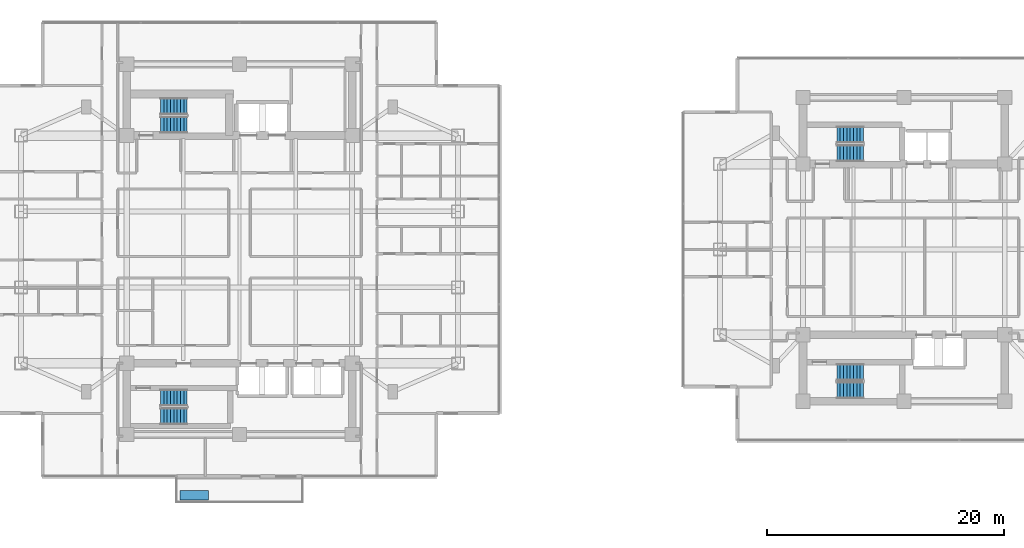
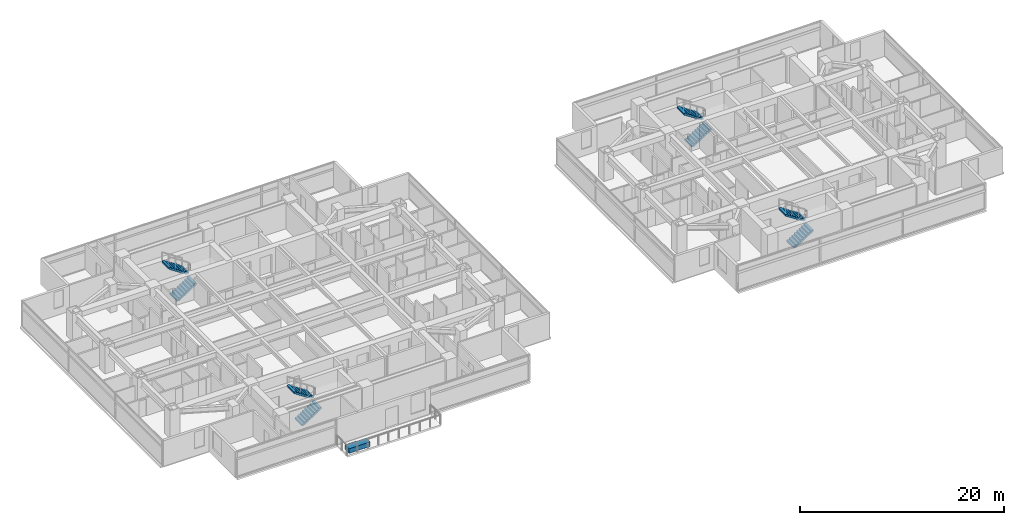
# One storey, part 20 of 26: 8 stair flights, 1 discrete accessory, 4 elements without a shape of their own.
"""IFC4 building model written with IfcOpenShell, lengths in metres."""

from ifc_helpers import new_model, si_unit, direction, frame, origin, origin_2d, place, context, subcontext, project, spatial, polyline, rectangle, outline, extrude, material, type_object, element, aggregate, save


model = new_model("IFC4")

# Units and contexts
model_context = context("Model", 3, precision=1e-05, world=origin(), true_north=direction((0.0, 1.0)))
body_context = subcontext(model_context, "Body", "Model", "MODEL_VIEW")
ifc_project = project(units=[si_unit("LENGTHUNIT", "METRE"), si_unit("AREAUNIT", "SQUARE_METRE"), si_unit("VOLUMEUNIT", "CUBIC_METRE"), si_unit("PLANEANGLEUNIT", "RADIAN"), si_unit("MASSUNIT", "GRAM", prefix="KILO")], contexts=[model_context])

# Site, building, storey
site_placement = place(None, origin())
site = spatial("IfcSite", under=ifc_project, at=site_placement, CompositionType="ELEMENT")
building_placement = place(site_placement, origin())
building = spatial("IfcBuilding", under=site, at=building_placement, Name="Mirazonda Arch Towers", CompositionType="ELEMENT")
storey_placement = place(building_placement, frame((0.0, 0.0, 108.199951171875)))
storey = spatial("IfcBuildingStorey", under=building, at=storey_placement, Name="L30", CompositionType="ELEMENT", Elevation=108.199951171875)

# Stair, stair flights
ifc_material_1 = material(Name="Concrete C40/50", Category="concrete")
stair_type = type_object("IfcStairType", Name="STAIR-CORE-1400", PredefinedType="HALF_TURN_STAIR", material=ifc_material_1)
stair_1_placement = place(storey_placement, origin())
stair_1 = element("IfcStair", 1, at=stair_1_placement, inside=storey, type_object=stair_type, Name="L30 Protected Exit Stair ST-T1N", PredefinedType="HALF_TURN_STAIR")
stair_flight_type = type_object("IfcStairFlightType", Name="FLIGHT-1400", PredefinedType="STRAIGHT", material=ifc_material_1)
stair_flight_1_placement = place(storey_placement, frame((13.85009765625, 38.52001953125, 0.0), z_axis=(0.0, 0.0, 1.0), x_axis=(1.0, 0.0, 0.0)))
stair_flight_1 = element("IfcStairFlight", 2, at=stair_flight_1_placement, type_object=stair_flight_type, Name="ST-T1N flight 1", NumberOfRisers=9, NumberOfTreads=8, PredefinedType="STRAIGHT", RiserHeight=0.183333333, TreadLength=0.28, context=body_context, shape_type="SweptSolid", body=[
    extrude(outline(polyline([(0.0, 0.0), (0.0, 0.183349609375), (0.280029296875, 0.183349609375), (0.280029296875, 0.36669921875), (0.56005859375, 0.36669921875), (0.56005859375, 0.550048828125), (0.840087890625, 0.550048828125), (0.840087890625, 0.7333984375), (1.1201171875, 0.7333984375), (1.1201171875, 0.916748046875), (1.39990234375, 0.916748046875), (1.39990234375, 1.10009765625), (1.679931640625, 1.10009765625), (1.679931640625, 1.283447265625), (1.9599609375, 1.283447265625), (1.9599609375, 1.466552734375), (2.239990234375, 1.466552734375), (2.239990234375, 1.64990234375), (2.239990234375, 1.275634765625), (0.2919921875, 0.0), (0.0, 0.0)])), frame((0.0, 0.699951171875, 0.0), z_axis=(0.0, -1.0, 0.0), x_axis=(1.0, 0.0, 0.0)), (0.0, 0.0, 1.0), 1.39990234375),
])
stair_flight_2_placement = place(storey_placement, frame((16.090087890625, 40.06005859375, 1.650146484375), z_axis=(0.0, 0.0, 1.0), x_axis=(-1.0, 0.0, 0.0)))
stair_flight_2 = element("IfcStairFlight", 3, at=stair_flight_2_placement, type_object=stair_flight_type, Name="ST-T1N flight 2", NumberOfRisers=9, NumberOfTreads=8, PredefinedType="STRAIGHT", RiserHeight=0.183333333, TreadLength=0.28, context=body_context, shape_type="SweptSolid", body=[
    extrude(outline(polyline([(0.0, 0.0), (0.0, 0.183349609375), (0.280029296875, 0.183349609375), (0.280029296875, 0.36669921875), (0.56005859375, 0.36669921875), (0.56005859375, 0.550048828125), (0.840087890625, 0.550048828125), (0.840087890625, 0.7333984375), (1.1201171875, 0.7333984375), (1.1201171875, 0.916748046875), (1.39990234375, 0.916748046875), (1.39990234375, 1.10009765625), (1.679931640625, 1.10009765625), (1.679931640625, 1.283447265625), (1.9599609375, 1.283447265625), (1.9599609375, 1.466552734375), (2.239990234375, 1.466552734375), (2.239990234375, 1.64990234375), (2.239990234375, 1.275634765625), (0.2919921875, 0.0), (0.0, 0.0)])), frame((0.0, 0.699951171875, 0.0), z_axis=(0.0, -1.0, 0.0), x_axis=(1.0, 0.0, 0.0)), (0.0, 0.0, 1.0), 1.39990234375),
])
aggregate(stair_1, [stair_flight_1, stair_flight_2])

stair_2_placement = place(storey_placement, origin())
stair_2 = element("IfcStair", 4, at=stair_2_placement, inside=storey, type_object=stair_type, Name="L30 Protected Exit Stair ST-T1S", PredefinedType="HALF_TURN_STAIR")
stair_flight_3_placement = place(storey_placement, frame((13.85009765625, 13.949951171875, 0.0), z_axis=(0.0, 0.0, 1.0), x_axis=(1.0, 0.0, 0.0)))
stair_flight_3 = element("IfcStairFlight", 5, at=stair_flight_3_placement, type_object=stair_flight_type, Name="ST-T1S flight 1", NumberOfRisers=9, NumberOfTreads=8, PredefinedType="STRAIGHT", RiserHeight=0.183333333, TreadLength=0.28, context=body_context, shape_type="SweptSolid", body=[
    extrude(outline(polyline([(0.0, 0.0), (0.0, 0.183349609375), (0.280029296875, 0.183349609375), (0.280029296875, 0.36669921875), (0.56005859375, 0.36669921875), (0.56005859375, 0.550048828125), (0.840087890625, 0.550048828125), (0.840087890625, 0.7333984375), (1.1201171875, 0.7333984375), (1.1201171875, 0.916748046875), (1.39990234375, 0.916748046875), (1.39990234375, 1.10009765625), (1.679931640625, 1.10009765625), (1.679931640625, 1.283447265625), (1.9599609375, 1.283447265625), (1.9599609375, 1.466552734375), (2.239990234375, 1.466552734375), (2.239990234375, 1.64990234375), (2.239990234375, 1.275634765625), (0.2919921875, 0.0), (0.0, 0.0)])), frame((0.0, 0.699951171875, 0.0), z_axis=(0.0, -1.0, 0.0), x_axis=(1.0, 0.0, 0.0)), (0.0, 0.0, 1.0), 1.39990234375),
])
stair_flight_4_placement = place(storey_placement, frame((16.090087890625, 15.489990234375, 1.650146484375), z_axis=(0.0, 0.0, 1.0), x_axis=(-1.0, 0.0, 0.0)))
stair_flight_4 = element("IfcStairFlight", 6, at=stair_flight_4_placement, type_object=stair_flight_type, Name="ST-T1S flight 2", NumberOfRisers=9, NumberOfTreads=8, PredefinedType="STRAIGHT", RiserHeight=0.183333333, TreadLength=0.28, context=body_context, shape_type="SweptSolid", body=[
    extrude(outline(polyline([(0.0, 0.0), (0.0, 0.183349609375), (0.280029296875, 0.183349609375), (0.280029296875, 0.36669921875), (0.56005859375, 0.36669921875), (0.56005859375, 0.550048828125), (0.840087890625, 0.550048828125), (0.840087890625, 0.7333984375), (1.1201171875, 0.7333984375), (1.1201171875, 0.916748046875), (1.39990234375, 0.916748046875), (1.39990234375, 1.10009765625), (1.679931640625, 1.10009765625), (1.679931640625, 1.283447265625), (1.9599609375, 1.283447265625), (1.9599609375, 1.466552734375), (2.239990234375, 1.466552734375), (2.239990234375, 1.64990234375), (2.239990234375, 1.275634765625), (0.2919921875, 0.0), (0.0, 0.0)])), frame((0.0, 0.699951171875, 0.0), z_axis=(0.0, -1.0, 0.0), x_axis=(1.0, 0.0, 0.0)), (0.0, 0.0, 1.0), 1.39990234375),
])
aggregate(stair_2, [stair_flight_3, stair_flight_4])

stair_3_placement = place(storey_placement, origin())
stair_3 = element("IfcStair", 7, at=stair_3_placement, inside=storey, type_object=stair_type, Name="L30 Protected Exit Stair ST-T2N", PredefinedType="HALF_TURN_STAIR")
stair_flight_5_placement = place(storey_placement, frame((70.85009765625, 36.1201171875, 0.0), z_axis=(0.0, 0.0, 1.0), x_axis=(1.0, 0.0, 0.0)))
stair_flight_5 = element("IfcStairFlight", 8, at=stair_flight_5_placement, type_object=stair_flight_type, Name="ST-T2N flight 1", NumberOfRisers=9, NumberOfTreads=8, PredefinedType="STRAIGHT", RiserHeight=0.183333333, TreadLength=0.28, context=body_context, shape_type="SweptSolid", body=[
    extrude(outline(polyline([(0.0, 0.0), (0.0, 0.183349609375), (0.280029296875, 0.183349609375), (0.280029296875, 0.36669921875), (0.56005859375, 0.36669921875), (0.56005859375, 0.550048828125), (0.840087890625, 0.550048828125), (0.840087890625, 0.7333984375), (1.1201171875, 0.7333984375), (1.1201171875, 0.916748046875), (1.39990234375, 0.916748046875), (1.39990234375, 1.10009765625), (1.679931640625, 1.10009765625), (1.679931640625, 1.283447265625), (1.9599609375, 1.283447265625), (1.9599609375, 1.466552734375), (2.239990234375, 1.466552734375), (2.239990234375, 1.64990234375), (2.239990234375, 1.275634765625), (0.2919921875, 0.0), (0.0, 0.0)])), frame((0.0, 0.699951171875, 0.0), z_axis=(0.0, -1.0, 0.0), x_axis=(1.0, 0.0, 0.0)), (0.0, 0.0, 1.0), 1.39990234375),
])
stair_flight_6_placement = place(storey_placement, frame((73.090087890625, 37.659912109375, 1.650146484375), z_axis=(0.0, 0.0, 1.0), x_axis=(-1.0, 0.0, 0.0)))
stair_flight_6 = element("IfcStairFlight", 9, at=stair_flight_6_placement, type_object=stair_flight_type, Name="ST-T2N flight 2", NumberOfRisers=9, NumberOfTreads=8, PredefinedType="STRAIGHT", RiserHeight=0.183333333, TreadLength=0.28, context=body_context, shape_type="SweptSolid", body=[
    extrude(outline(polyline([(0.0, 0.0), (0.0, 0.183349609375), (0.280029296875, 0.183349609375), (0.280029296875, 0.36669921875), (0.56005859375, 0.36669921875), (0.56005859375, 0.550048828125), (0.840087890625, 0.550048828125), (0.840087890625, 0.7333984375), (1.1201171875, 0.7333984375), (1.1201171875, 0.916748046875), (1.39990234375, 0.916748046875), (1.39990234375, 1.10009765625), (1.679931640625, 1.10009765625), (1.679931640625, 1.283447265625), (1.9599609375, 1.283447265625), (1.9599609375, 1.466552734375), (2.239990234375, 1.466552734375), (2.239990234375, 1.64990234375), (2.239990234375, 1.275634765625), (0.2919921875, 0.0), (0.0, 0.0)])), frame((0.0, 0.699951171875, 0.0), z_axis=(0.0, -1.0, 0.0), x_axis=(1.0, 0.0, 0.0)), (0.0, 0.0, 1.0), 1.39990234375),
])
aggregate(stair_3, [stair_flight_5, stair_flight_6])

stair_4_placement = place(storey_placement, origin())
stair_4 = element("IfcStair", 10, at=stair_4_placement, inside=storey, type_object=stair_type, Name="L30 Protected Exit Stair ST-T2S", PredefinedType="HALF_TURN_STAIR")
stair_flight_7_placement = place(storey_placement, frame((70.85009765625, 16.1201171875, 0.0), z_axis=(0.0, 0.0, 1.0), x_axis=(1.0, 0.0, 0.0)))
stair_flight_7 = element("IfcStairFlight", 11, at=stair_flight_7_placement, type_object=stair_flight_type, Name="ST-T2S flight 1", NumberOfRisers=9, NumberOfTreads=8, PredefinedType="STRAIGHT", RiserHeight=0.183333333, TreadLength=0.28, context=body_context, shape_type="SweptSolid", body=[
    extrude(outline(polyline([(0.0, 0.0), (0.0, 0.183349609375), (0.280029296875, 0.183349609375), (0.280029296875, 0.36669921875), (0.56005859375, 0.36669921875), (0.56005859375, 0.550048828125), (0.840087890625, 0.550048828125), (0.840087890625, 0.7333984375), (1.1201171875, 0.7333984375), (1.1201171875, 0.916748046875), (1.39990234375, 0.916748046875), (1.39990234375, 1.10009765625), (1.679931640625, 1.10009765625), (1.679931640625, 1.283447265625), (1.9599609375, 1.283447265625), (1.9599609375, 1.466552734375), (2.239990234375, 1.466552734375), (2.239990234375, 1.64990234375), (2.239990234375, 1.275634765625), (0.2919921875, 0.0), (0.0, 0.0)])), frame((0.0, 0.699951171875, 0.0), z_axis=(0.0, -1.0, 0.0), x_axis=(1.0, 0.0, 0.0)), (0.0, 0.0, 1.0), 1.39990234375),
])
stair_flight_8_placement = place(storey_placement, frame((73.090087890625, 17.659912109375, 1.650146484375), z_axis=(0.0, 0.0, 1.0), x_axis=(-1.0, 0.0, 0.0)))
stair_flight_8 = element("IfcStairFlight", 12, at=stair_flight_8_placement, type_object=stair_flight_type, Name="ST-T2S flight 2", NumberOfRisers=9, NumberOfTreads=8, PredefinedType="STRAIGHT", RiserHeight=0.183333333, TreadLength=0.28, context=body_context, shape_type="SweptSolid", body=[
    extrude(outline(polyline([(0.0, 0.0), (0.0, 0.183349609375), (0.280029296875, 0.183349609375), (0.280029296875, 0.36669921875), (0.56005859375, 0.36669921875), (0.56005859375, 0.550048828125), (0.840087890625, 0.550048828125), (0.840087890625, 0.7333984375), (1.1201171875, 0.7333984375), (1.1201171875, 0.916748046875), (1.39990234375, 0.916748046875), (1.39990234375, 1.10009765625), (1.679931640625, 1.10009765625), (1.679931640625, 1.283447265625), (1.9599609375, 1.283447265625), (1.9599609375, 1.466552734375), (2.239990234375, 1.466552734375), (2.239990234375, 1.64990234375), (2.239990234375, 1.275634765625), (0.2919921875, 0.0), (0.0, 0.0)])), frame((0.0, 0.699951171875, 0.0), z_axis=(0.0, -1.0, 0.0), x_axis=(1.0, 0.0, 0.0)), (0.0, 0.0, 1.0), 1.39990234375),
])
aggregate(stair_4, [stair_flight_7, stair_flight_8])

# Discrete accessory
ifc_material_2 = material(Name="Kiln-Fired Architectural Terracotta", Category="masonry")
discrete_accessory_type = type_object("IfcDiscreteAccessoryType", Name="PLANTER-TERRA", PredefinedType="USERDEFINED", material=ifc_material_2)
discrete_accessory_placement = place(storey_placement, frame((16.699951171875, 7.261962890625, 0.0), z_axis=(0.0, 0.0, 1.0), x_axis=(1.0, 0.0, 0.0)))
element("IfcDiscreteAccessory", 13, at=discrete_accessory_placement, inside=storey, type_object=discrete_accessory_type, Name="L30 T1 Sky-Terrace Planter", ObjectType="PLANTER", PredefinedType="USERDEFINED", context=body_context, shape_type="SweptSolid", body=[
    extrude(rectangle(XDim=2.39990234375, YDim=0.800048828125, at=origin_2d()), origin(), (0.0, 0.0, 1.0), 0.550048828125),
])

save(model, "model.ifc")
